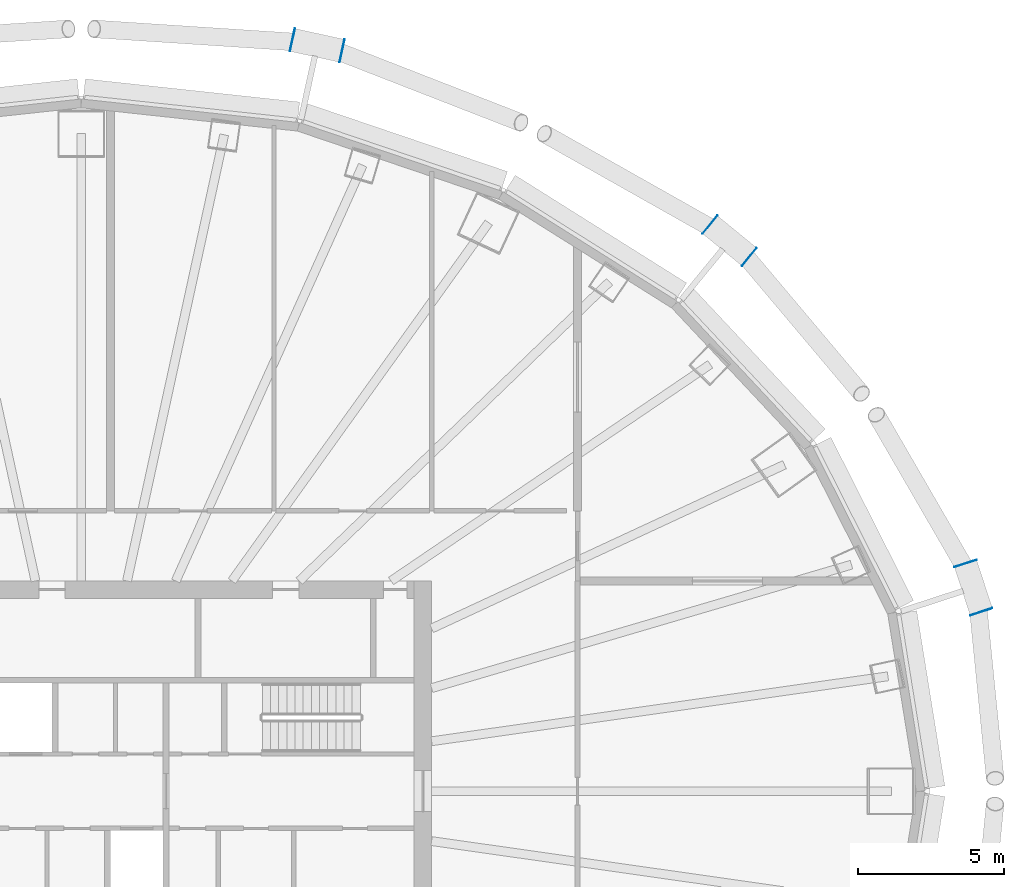
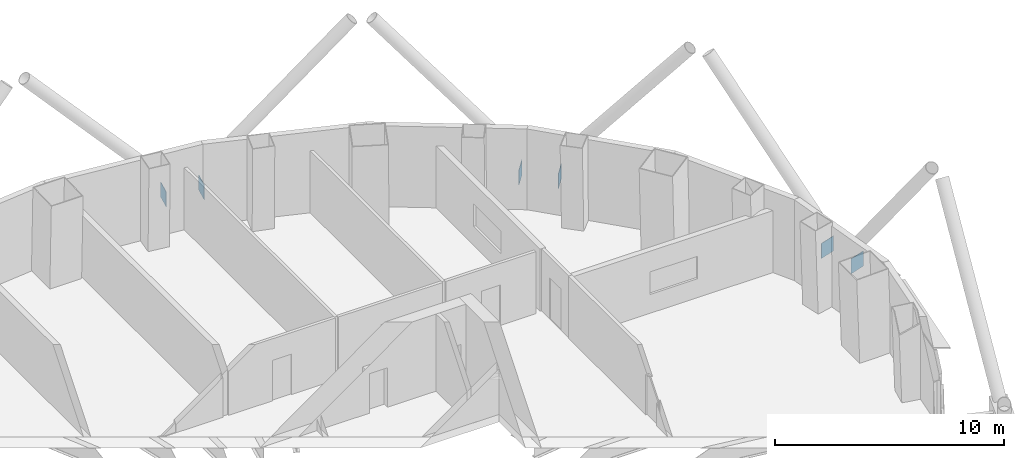
# One storey, part 10 of 14: 6 discrete accessories.
"""IFC4 building model written with IfcOpenShell, lengths in metres."""

from ifc_helpers import new_model, si_unit, direction, frame, origin, origin_2d, place, context, subcontext, project, spatial, rectangle, extrude, material, layer, layer_set, type_object, element, save


model = new_model("IFC4")

# Units and contexts
model_context = context("Model", 3, precision=1e-05, world=origin(), true_north=direction((0.0, 1.0)))
body_context = subcontext(model_context, "Body", "Model", "MODEL_VIEW")
ifc_project = project(units=[si_unit("LENGTHUNIT", "METRE"), si_unit("AREAUNIT", "SQUARE_METRE"), si_unit("VOLUMEUNIT", "CUBIC_METRE"), si_unit("PLANEANGLEUNIT", "RADIAN"), si_unit("MASSUNIT", "GRAM", prefix="KILO")], contexts=[model_context])

# Site, building, storey
site_placement = place(None, origin())
site = spatial("IfcSite", under=ifc_project, at=site_placement, CompositionType="ELEMENT")
building_placement = place(site_placement, origin())
building = spatial("IfcBuilding", under=site, at=building_placement, Name="Siaravel Broadcast Tower", CompositionType="ELEMENT")
storey_placement = place(building_placement, frame((0.0, 0.0, 20.0)))
storey = spatial("IfcBuildingStorey", under=building, at=storey_placement, Name="L03", CompositionType="ELEMENT", Elevation=20.0)

# Discrete accessories
ifc_material = material(Name="Steel S355", Category="steel")
ifc_layer = layer(ifc_material, 0.02001953125)
ifc_layer_set = layer_set([ifc_layer], Name="Steel S355")
discrete_accessory_type = type_object("IfcDiscreteAccessoryType", Name="Steel end plate 20 mm", PredefinedType="USERDEFINED", material=ifc_layer_set)
for number, where, z_axis, x_axis, name in (
    (1, (30.284912109375, 7.7998046875, -0.60009765625), (0.0, 0.0, 1.0), (-0.310908675, 0.950439791, 0.0), "End plate R02 station 03A"),
    (2, (30.825927734375, 6.14501953125, -0.60009765625), (0.0, 0.0, 1.0), (-0.310908675, 0.950439791, 0.0), "End plate R02 station 03B"),
    (3, (21.533203125, 19.4033203125, -0.60009765625), (0.0, 0.0, 1.0), (-0.773604694, 0.633668508, 0.0), "End plate R02 station 09A"),
    (4, (22.880126953125, 18.300048828125, -0.60009765625), (0.0, 0.0, 1.0), (-0.773604694, 0.633668508, 0.0), "End plate R02 station 09B"),
    (5, (7.232177734375, 25.73046875, -0.60009765625), (0.0, 0.0, 1.0), (-0.976750917, 0.214377344, 0.0), "End plate R02 station 15A"),
    (6, (8.932861328125, 25.357177734375, -0.60009765625), (0.0, 0.0, 1.0), (-0.976750917, 0.214377344, 0.0), "End plate R02 station 15B"),
):
    element("IfcDiscreteAccessory", number, at=place(storey_placement, frame(where, z_axis=z_axis, x_axis=x_axis)), inside=storey, type_object=discrete_accessory_type, Name=name, ObjectType="END PLATE", PredefinedType="USERDEFINED", context=body_context, shape_type="SweptSolid", body=[
        extrude(rectangle(XDim=0.02001953125, YDim=0.800048828125, at=origin_2d()), origin(), (0.0, 0.0, 1.0), 0.800048828125),
    ])

save(model, "model.ifc")
